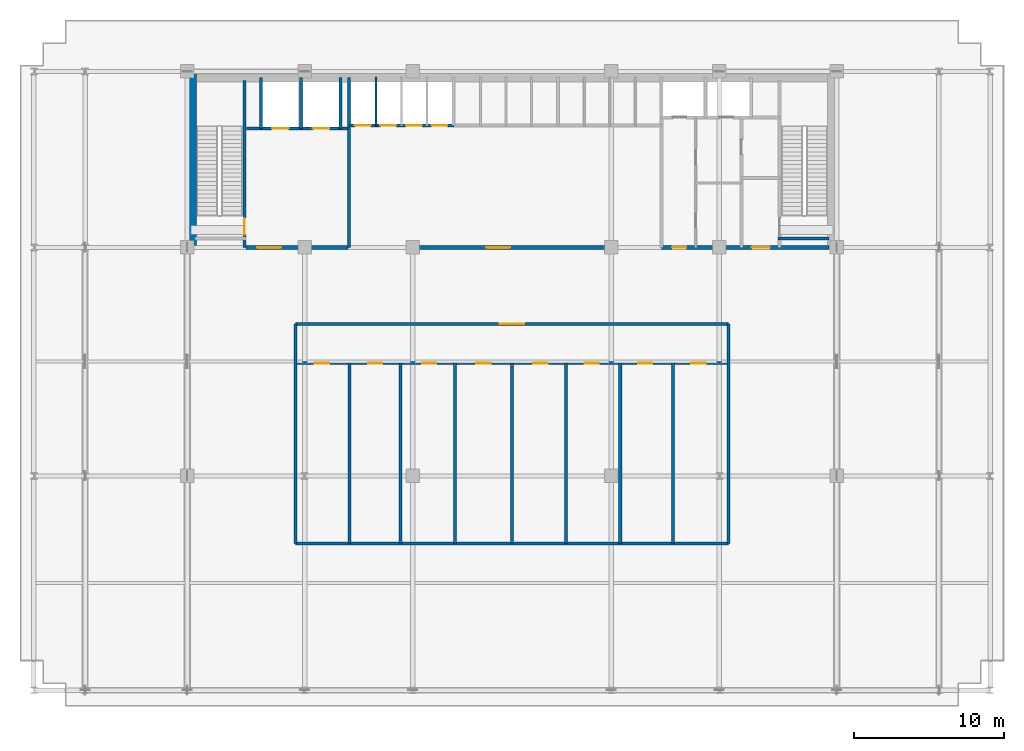
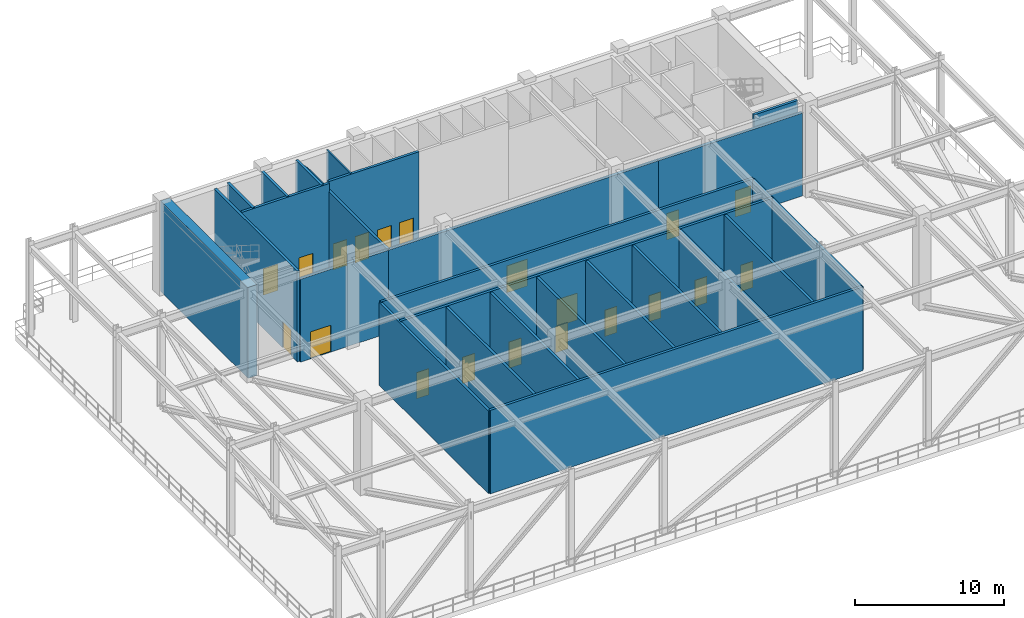
# One storey, part 11 of 16: 25 walls, 20 doors, 20 openings.
"""IFC4 building model written with IfcOpenShell, lengths in metres."""

from ifc_helpers import new_model, si_unit, direction, frame, frame_2d, origin, place, context, subcontext, project, spatial, rectangle, extrude, source, transform, mapped, material, layer, layer_set, type_object, element, fill, save


model = new_model("IFC4")

# Units and contexts
model_context = context("Model", 3, precision=1e-05, world=origin(), true_north=direction((0.0, 1.0)))
body_context = subcontext(model_context, "Body", "Model", "MODEL_VIEW")
ifc_project = project(units=[si_unit("LENGTHUNIT", "METRE"), si_unit("AREAUNIT", "SQUARE_METRE"), si_unit("VOLUMEUNIT", "CUBIC_METRE"), si_unit("PLANEANGLEUNIT", "RADIAN"), si_unit("MASSUNIT", "GRAM", prefix="KILO")], contexts=[model_context])

# Site, building, storey
site_placement = place(None, origin())
site = spatial("IfcSite", under=ifc_project, at=site_placement, CompositionType="ELEMENT")
building_placement = place(site_placement, origin())
building = spatial("IfcBuilding", under=site, at=building_placement, Name="Trelvane Seafront Commons", CompositionType="ELEMENT")
storey_placement = place(building_placement, frame((0.0, 0.0, 73.89990234375)))
storey = spatial("IfcBuildingStorey", under=building, at=storey_placement, Name="L19", CompositionType="ELEMENT", Elevation=73.89990234375)

# Wall, opening, door
ifc_material_1 = material(Name="Concrete C40/50", Category="concrete")
ifc_layer_1 = layer(ifc_material_1, 0.199951171875, Name="ARCH-WALL-FIRE200")
ifc_layer_set_1 = layer_set([ifc_layer_1], Name="Concrete C40/50")
wall_type_1 = type_object("IfcWallType", Name="ARCH-WALL-FIRE200", PredefinedType="PARTITIONING", material=ifc_layer_set_1)
wall_1_placement = place(storey_placement, frame((22.800048828125, 28.300048828125, 0.0), z_axis=(0.0, 0.0, 1.0), x_axis=(1.0, 0.0, 0.0)))
wall_1 = element("IfcWall", 1, at=wall_1_placement, inside=storey, type_object=wall_type_1, Name="W-L19-MEP-N-038", PredefinedType="PARTITIONING", context=body_context, shape_type="SweptSolid", body=[
    extrude(rectangle(XDim=28.800048828125, YDim=0.199951171875, at=frame_2d((14.39990234375, 0.0))), origin(), (0.0, 0.0, 1.0), 6.83203125),
])
opening_1_placement = place(wall_1_placement, frame((13.60009765625, 0.0, 0.0)))
opening_1 = element("IfcOpeningElement", 2, at=opening_1_placement, cuts=wall_1, Name="Opening FD-L19-18", PredefinedType="OPENING", context=body_context, shape_type="SweptSolid", body=[
    extrude(rectangle(XDim=1.60009765625, YDim=2.199951171875, at=frame_2d((0.800048828125, 1.10009765625))), frame((0.0, 0.10986328125, 0.0), z_axis=(0.0, -1.0, 0.0), x_axis=(1.0, 0.0, 0.0)), (0.0, 0.0, 1.0), 0.219970703125),
])
ifc_material_2 = material(Name="Powder-coated aluminium frame", Category="aluminium")
door_type_1 = type_object("IfcDoorType", Name="ARCH-DR-FD60-1600", OperationType="DOUBLE_DOOR_SINGLE_SWING", PredefinedType="DOOR", material=ifc_material_2)
shared_shape_1 = source(origin(), body_context, "Body", "SweptSolid", [
    extrude(rectangle(XDim=1.60009765625, YDim=2.199951171875, at=frame_2d((0.800048828125, 1.10009765625))), frame((0.0, 0.02490234375, 0.0), z_axis=(0.0, -1.0, 0.0), x_axis=(1.0, 0.0, 0.0)), (0.0, 0.0, 1.0), 0.050048828125),
])
door_1_placement = place(opening_1_placement, origin())
door_1 = element("IfcDoor", 3, at=door_1_placement, inside=storey, type_object=door_type_1, Name="L19 Plant Corridor Entrance Door", OperationType="DOUBLE_DOOR_SINGLE_SWING", OverallHeight=2.199951171875, OverallWidth=1.60009765625, PredefinedType="DOOR", context=body_context, shape_type="MappedRepresentation", body=[
    mapped(shared_shape_1, transform((0.0, 0.0, 0.0), x_axis=(1.0, 0.0, 0.0), y_axis=(0.0, 1.0, 0.0), z_axis=(0.0, 0.0, 1.0), scale=1.0)),
])
fill(opening_1, door_1)

# Walls
wall_2_placement = place(storey_placement, frame((22.800048828125, 13.699951171875, 0.0), z_axis=(0.0, 0.0, 1.0), x_axis=(1.0, 0.0, 0.0)))
element("IfcWall", 4, at=wall_2_placement, inside=storey, type_object=wall_type_1, Name="W-L19-MEP-S-039", PredefinedType="PARTITIONING", context=body_context, shape_type="SweptSolid", body=[
    extrude(rectangle(XDim=28.800048828125, YDim=0.199951171875, at=frame_2d((14.39990234375, 0.0))), origin(), (0.0, 0.0, 1.0), 6.83203125),
])
for number, where, z_axis, x_axis, name in (
    (5, (22.800048828125, 13.699951171875, 0.0), (0.0, 0.0, 1.0), (0.0, 1.0, 0.0), "W-L19-MEP-W-040"),
    (6, (51.60009765625, 13.699951171875, 0.0), (0.0, 0.0, 1.0), (0.0, 1.0, 0.0), "W-L19-MEP-E-041"),
):
    element("IfcWall", number, at=place(storey_placement, frame(where, z_axis=z_axis, x_axis=x_axis)), inside=storey, type_object=wall_type_1, Name=name, PredefinedType="PARTITIONING", context=body_context, shape_type="SweptSolid", body=[
        extrude(rectangle(XDim=14.60009765625, YDim=0.199951171875, at=frame_2d((7.300048828125, 0.0))), origin(), (0.0, 0.0, 1.0), 6.77001953125),
    ])

# Wall, openings, doors
wall_3_placement = place(storey_placement, frame((22.800048828125, 25.699951171875, 0.0), z_axis=(0.0, 0.0, 1.0), x_axis=(1.0, 0.0, 0.0)))
wall_3 = element("IfcWall", 7, at=wall_3_placement, inside=storey, type_object=wall_type_1, Name="W-L19-MEP-CORR-S-042", PredefinedType="PARTITIONING", context=body_context, shape_type="SweptSolid", body=[
    extrude(rectangle(XDim=28.800048828125, YDim=0.199951171875, at=frame_2d((14.39990234375, 0.0))), origin(), (0.0, 0.0, 1.0), 6.83203125),
])
opening_2_placement = place(wall_3_placement, frame((1.282958984375, 0.0, 0.0)))
opening_2 = element("IfcOpeningElement", 8, at=opening_2_placement, cuts=wall_3, Name="Opening FD-L19-19", PredefinedType="OPENING", context=body_context, shape_type="SweptSolid", body=[
    extrude(rectangle(XDim=0.949951171875, YDim=2.14990234375, at=frame_2d((0.47509765625, 1.074951171875))), frame((0.0, 0.10986328125, 0.0), z_axis=(0.0, -1.0, 0.0), x_axis=(1.0, 0.0, 0.0)), (0.0, 0.0, 1.0), 0.219970703125),
])
opening_3_placement = place(wall_3_placement, frame((4.824951171875, 0.0, 0.0)))
opening_3 = element("IfcOpeningElement", 9, at=opening_3_placement, cuts=wall_3, Name="Opening FD-L19-20", PredefinedType="OPENING", context=body_context, shape_type="SweptSolid", body=[
    extrude(rectangle(XDim=0.949951171875, YDim=2.14990234375, at=frame_2d((0.47509765625, 1.074951171875))), frame((0.0, 0.10986328125, 0.0), z_axis=(0.0, -1.0, 0.0), x_axis=(1.0, 0.0, 0.0)), (0.0, 0.0, 1.0), 0.219970703125),
])
opening_4_placement = place(wall_3_placement, frame((8.422119140625, 0.0, 0.0)))
opening_4 = element("IfcOpeningElement", 10, at=opening_4_placement, cuts=wall_3, Name="Opening FD-L19-21", PredefinedType="OPENING", context=body_context, shape_type="SweptSolid", body=[
    extrude(rectangle(XDim=0.949951171875, YDim=2.14990234375, at=frame_2d((0.47509765625, 1.074951171875))), frame((0.0, 0.10986328125, 0.0), z_axis=(0.0, -1.0, 0.0), x_axis=(1.0, 0.0, 0.0)), (0.0, 0.0, 1.0), 0.219970703125),
])
opening_5_placement = place(wall_3_placement, frame((12.02490234375, 0.0, 0.0)))
opening_5 = element("IfcOpeningElement", 11, at=opening_5_placement, cuts=wall_3, Name="Opening FD-L19-22", PredefinedType="OPENING", context=body_context, shape_type="SweptSolid", body=[
    extrude(rectangle(XDim=0.949951171875, YDim=2.14990234375, at=frame_2d((0.47509765625, 1.074951171875))), frame((0.0, 0.10986328125, 0.0), z_axis=(0.0, -1.0, 0.0), x_axis=(1.0, 0.0, 0.0)), (0.0, 0.0, 1.0), 0.219970703125),
])
opening_6_placement = place(wall_3_placement, frame((15.822021484375, 0.0, 0.0)))
opening_6 = element("IfcOpeningElement", 12, at=opening_6_placement, cuts=wall_3, Name="Opening FD-L19-23", PredefinedType="OPENING", context=body_context, shape_type="SweptSolid", body=[
    extrude(rectangle(XDim=0.949951171875, YDim=2.14990234375, at=frame_2d((0.47509765625, 1.074951171875))), frame((0.0, 0.10986328125, 0.0), z_axis=(0.0, -1.0, 0.0), x_axis=(1.0, 0.0, 0.0)), (0.0, 0.0, 1.0), 0.219970703125),
])
opening_7_placement = place(wall_3_placement, frame((19.22802734375, 0.0, 0.0)))
opening_7 = element("IfcOpeningElement", 13, at=opening_7_placement, cuts=wall_3, Name="Opening FD-L19-24", PredefinedType="OPENING", context=body_context, shape_type="SweptSolid", body=[
    extrude(rectangle(XDim=0.949951171875, YDim=2.14990234375, at=frame_2d((0.47509765625, 1.074951171875))), frame((0.0, 0.10986328125, 0.0), z_axis=(0.0, -1.0, 0.0), x_axis=(1.0, 0.0, 0.0)), (0.0, 0.0, 1.0), 0.219970703125),
])
opening_8_placement = place(wall_3_placement, frame((22.782958984375, 0.0, 0.0)))
opening_8 = element("IfcOpeningElement", 14, at=opening_8_placement, cuts=wall_3, Name="Opening FD-L19-25", PredefinedType="OPENING", context=body_context, shape_type="SweptSolid", body=[
    extrude(rectangle(XDim=0.949951171875, YDim=2.14990234375, at=frame_2d((0.47509765625, 1.074951171875))), frame((0.0, 0.10986328125, 0.0), z_axis=(0.0, -1.0, 0.0), x_axis=(1.0, 0.0, 0.0)), (0.0, 0.0, 1.0), 0.219970703125),
])
opening_9_placement = place(wall_3_placement, frame((26.327880859375, 0.0, 0.0)))
opening_9 = element("IfcOpeningElement", 15, at=opening_9_placement, cuts=wall_3, Name="Opening FD-L19-26", PredefinedType="OPENING", context=body_context, shape_type="SweptSolid", body=[
    extrude(rectangle(XDim=0.949951171875, YDim=2.14990234375, at=frame_2d((0.47509765625, 1.074951171875))), frame((0.0, 0.10986328125, 0.0), z_axis=(0.0, -1.0, 0.0), x_axis=(1.0, 0.0, 0.0)), (0.0, 0.0, 1.0), 0.219970703125),
])
door_type_2 = type_object("IfcDoorType", Name="ARCH-DR-FD60-950", OperationType="NOTDEFINED", PredefinedType="DOOR", material=ifc_material_2)
shared_shape_2 = source(origin(), body_context, "Body", "SweptSolid", [
    extrude(rectangle(XDim=0.949951171875, YDim=2.14990234375, at=frame_2d((0.47509765625, 1.074951171875))), frame((0.0, 0.02490234375, 0.0), z_axis=(0.0, -1.0, 0.0), x_axis=(1.0, 0.0, 0.0)), (0.0, 0.0, 1.0), 0.050048828125),
])
door_2_placement = place(opening_2_placement, origin())
door_2 = element("IfcDoor", 16, at=door_2_placement, inside=storey, type_object=door_type_2, Name="L19 Door 19", OperationType="SINGLE_SWING_LEFT", OverallHeight=2.14990234375, OverallWidth=0.949951171875, PredefinedType="DOOR", context=body_context, shape_type="MappedRepresentation", body=[
    mapped(shared_shape_2, transform((0.0, 0.0, 0.0), x_axis=(1.0, 0.0, 0.0), y_axis=(0.0, 1.0, 0.0), z_axis=(0.0, 0.0, 1.0), scale=1.0)),
])
fill(opening_2, door_2)
door_3_placement = place(opening_3_placement, origin())
door_3 = element("IfcDoor", 17, at=door_3_placement, inside=storey, type_object=door_type_2, Name="L19 Door 20", OperationType="SINGLE_SWING_RIGHT", OverallHeight=2.14990234375, OverallWidth=0.949951171875, PredefinedType="DOOR", context=body_context, shape_type="MappedRepresentation", body=[
    mapped(shared_shape_2, transform((0.0, 0.0, 0.0), x_axis=(1.0, 0.0, 0.0), y_axis=(0.0, 1.0, 0.0), z_axis=(0.0, 0.0, 1.0), scale=1.0)),
])
fill(opening_3, door_3)
door_4_placement = place(opening_4_placement, origin())
door_4 = element("IfcDoor", 18, at=door_4_placement, inside=storey, type_object=door_type_2, Name="L19 Door 21", OperationType="SINGLE_SWING_LEFT", OverallHeight=2.14990234375, OverallWidth=0.949951171875, PredefinedType="DOOR", context=body_context, shape_type="MappedRepresentation", body=[
    mapped(shared_shape_2, transform((0.0, 0.0, 0.0), x_axis=(1.0, 0.0, 0.0), y_axis=(0.0, 1.0, 0.0), z_axis=(0.0, 0.0, 1.0), scale=1.0)),
])
fill(opening_4, door_4)
door_5_placement = place(opening_5_placement, origin())
door_5 = element("IfcDoor", 19, at=door_5_placement, inside=storey, type_object=door_type_2, Name="L19 Door 22", OperationType="SINGLE_SWING_RIGHT", OverallHeight=2.14990234375, OverallWidth=0.949951171875, PredefinedType="DOOR", context=body_context, shape_type="MappedRepresentation", body=[
    mapped(shared_shape_2, transform((0.0, 0.0, 0.0), x_axis=(1.0, 0.0, 0.0), y_axis=(0.0, 1.0, 0.0), z_axis=(0.0, 0.0, 1.0), scale=1.0)),
])
fill(opening_5, door_5)
door_6_placement = place(opening_6_placement, origin())
door_6 = element("IfcDoor", 20, at=door_6_placement, inside=storey, type_object=door_type_2, Name="L19 Door 23", OperationType="SINGLE_SWING_LEFT", OverallHeight=2.14990234375, OverallWidth=0.949951171875, PredefinedType="DOOR", context=body_context, shape_type="MappedRepresentation", body=[
    mapped(shared_shape_2, transform((0.0, 0.0, 0.0), x_axis=(1.0, 0.0, 0.0), y_axis=(0.0, 1.0, 0.0), z_axis=(0.0, 0.0, 1.0), scale=1.0)),
])
fill(opening_6, door_6)
door_7_placement = place(opening_7_placement, origin())
door_7 = element("IfcDoor", 21, at=door_7_placement, inside=storey, type_object=door_type_2, Name="L19 Door 24", OperationType="SINGLE_SWING_RIGHT", OverallHeight=2.14990234375, OverallWidth=0.949951171875, PredefinedType="DOOR", context=body_context, shape_type="MappedRepresentation", body=[
    mapped(shared_shape_2, transform((0.0, 0.0, 0.0), x_axis=(1.0, 0.0, 0.0), y_axis=(0.0, 1.0, 0.0), z_axis=(0.0, 0.0, 1.0), scale=1.0)),
])
fill(opening_7, door_7)
door_8_placement = place(opening_8_placement, origin())
door_8 = element("IfcDoor", 22, at=door_8_placement, inside=storey, type_object=door_type_2, Name="L19 Door 25", OperationType="SINGLE_SWING_LEFT", OverallHeight=2.14990234375, OverallWidth=0.949951171875, PredefinedType="DOOR", context=body_context, shape_type="MappedRepresentation", body=[
    mapped(shared_shape_2, transform((0.0, 0.0, 0.0), x_axis=(1.0, 0.0, 0.0), y_axis=(0.0, 1.0, 0.0), z_axis=(0.0, 0.0, 1.0), scale=1.0)),
])
fill(opening_8, door_8)
door_9_placement = place(opening_9_placement, origin())
door_9 = element("IfcDoor", 23, at=door_9_placement, inside=storey, type_object=door_type_2, Name="L19 Door 26", OperationType="SINGLE_SWING_RIGHT", OverallHeight=2.14990234375, OverallWidth=0.949951171875, PredefinedType="DOOR", context=body_context, shape_type="MappedRepresentation", body=[
    mapped(shared_shape_2, transform((0.0, 0.0, 0.0), x_axis=(1.0, 0.0, 0.0), y_axis=(0.0, 1.0, 0.0), z_axis=(0.0, 0.0, 1.0), scale=1.0)),
])
fill(opening_9, door_9)

# Walls
for number, where, z_axis, x_axis, name in (
    (24, (26.39990234375, 13.699951171875, 0.0), (0.0, 0.0, 1.0), (0.0, 1.0, 0.0), "W-L19-MEP-DV-1-043"),
    (25, (29.800048828125, 13.699951171875, 0.0), (0.0, 0.0, 1.0), (0.0, 1.0, 0.0), "W-L19-MEP-DV-2-044"),
    (26, (33.39990234375, 13.699951171875, 0.0), (0.0, 0.0, 1.0), (0.0, 1.0, 0.0), "W-L19-MEP-DV-3-045"),
    (27, (37.199951171875, 13.699951171875, 0.0), (0.0, 0.0, 1.0), (0.0, 1.0, 0.0), "W-L19-MEP-DV-4-046"),
    (28, (40.800048828125, 13.699951171875, 0.0), (0.0, 0.0, 1.0), (0.0, 1.0, 0.0), "W-L19-MEP-DV-5-047"),
    (29, (44.39990234375, 13.699951171875, 0.0), (0.0, 0.0, 1.0), (0.0, 1.0, 0.0), "W-L19-MEP-DV-6-048"),
    (30, (47.89990234375, 13.699951171875, 0.0), (0.0, 0.0, 1.0), (0.0, 1.0, 0.0), "W-L19-MEP-DV-7-049"),
):
    element("IfcWall", number, at=place(storey_placement, frame(where, z_axis=z_axis, x_axis=x_axis)), inside=storey, type_object=wall_type_1, Name=name, PredefinedType="PARTITIONING", context=body_context, shape_type="SweptSolid", body=[
        extrude(rectangle(XDim=12.0, YDim=0.199951171875, at=frame_2d((6.0, 0.0))), origin(), (0.0, 0.0, 1.0), 6.77001953125),
    ])

# Wall, opening, door
ifc_layer_2 = layer(ifc_material_1, 0.25, Name="ARCH-WALL-FIRE250")
ifc_layer_set_2 = layer_set([ifc_layer_2], Name="Concrete C40/50")
wall_type_2 = type_object("IfcWallType", Name="ARCH-WALL-FIRE250", PredefinedType="PARTITIONING", material=ifc_layer_set_2)
wall_4_placement = place(storey_placement, frame((19.5, 33.39990234375, 0.0), z_axis=(0.0, 0.0, 1.0), x_axis=(1.0, 0.0, 0.0)))
wall_4 = element("IfcWall", 31, at=wall_4_placement, inside=storey, type_object=wall_type_2, Name="W-L19-CS-FFL-013", PredefinedType="PARTITIONING", context=body_context, shape_type="SweptSolid", body=[
    extrude(rectangle(XDim=6.800048828125, YDim=0.25, at=frame_2d((3.39990234375, 0.0))), origin(), (0.0, 0.0, 1.0), 6.77001953125),
])
opening_10_placement = place(wall_4_placement, frame((0.75, 0.0, 0.0)))
opening_10 = element("IfcOpeningElement", 32, at=opening_10_placement, cuts=wall_4, Name="Opening FD-L19-05", PredefinedType="OPENING", context=body_context, shape_type="SweptSolid", body=[
    extrude(rectangle(XDim=1.60009765625, YDim=2.199951171875, at=frame_2d((0.800048828125, 1.10009765625))), frame((0.0, 0.135009765625, 0.0), z_axis=(0.0, -1.0, 0.0), x_axis=(1.0, 0.0, 0.0)), (0.0, 0.0, 1.0), 0.27001953125),
])
door_10_placement = place(opening_10_placement, origin())
door_10 = element("IfcDoor", 33, at=door_10_placement, inside=storey, type_object=door_type_1, Name="L19 Firefighting Lift Lobby Double Fire Door", OperationType="DOUBLE_DOOR_SINGLE_SWING", OverallHeight=2.199951171875, OverallWidth=1.60009765625, PredefinedType="DOOR", context=body_context, shape_type="MappedRepresentation", body=[
    mapped(shared_shape_1, transform((0.0, 0.0, 0.0), x_axis=(1.0, 0.0, 0.0), y_axis=(0.0, 1.0, 0.0), z_axis=(0.0, 0.0, 1.0), scale=1.0)),
])
fill(opening_10, door_10)

wall_5_placement = place(storey_placement, frame((26.300048828125, 33.39990234375, 0.0), z_axis=(0.0, 0.0, 1.0), x_axis=(1.0, 0.0, 0.0)))
wall_5 = element("IfcWall", 34, at=wall_5_placement, inside=storey, type_object=wall_type_2, Name="W-L19-CS-PAX-029", PredefinedType="PARTITIONING", context=body_context, shape_type="SweptSolid", body=[
    extrude(rectangle(XDim=20.849853515625, YDim=0.25, at=frame_2d((10.4248046875, 0.0))), origin(), (0.0, 0.0, 1.0), 6.77001953125),
])
opening_11_placement = place(wall_5_placement, frame((9.199951171875, 0.0, 0.0)))
opening_11 = element("IfcOpeningElement", 35, at=opening_11_placement, cuts=wall_5, Name="Opening FD-L19-10", PredefinedType="OPENING", context=body_context, shape_type="SweptSolid", body=[
    extrude(rectangle(XDim=1.60009765625, YDim=2.199951171875, at=frame_2d((0.800048828125, 1.10009765625))), frame((0.0, 0.135009765625, 0.0), z_axis=(0.0, -1.0, 0.0), x_axis=(1.0, 0.0, 0.0)), (0.0, 0.0, 1.0), 0.27001953125),
])
door_11_placement = place(opening_11_placement, origin())
door_11 = element("IfcDoor", 36, at=door_11_placement, inside=storey, type_object=door_type_1, Name="L19 Passenger Lift Lobby Double Door", OperationType="DOUBLE_DOOR_SINGLE_SWING", OverallHeight=2.199951171875, OverallWidth=1.60009765625, PredefinedType="DOOR", context=body_context, shape_type="MappedRepresentation", body=[
    mapped(shared_shape_1, transform((0.0, 0.0, 0.0), x_axis=(1.0, 0.0, 0.0), y_axis=(0.0, 1.0, 0.0), z_axis=(0.0, 0.0, 1.0), scale=1.0)),
])
fill(opening_11, door_11)

# Wall, openings, doors
wall_6_placement = place(storey_placement, frame((47.14990234375, 33.39990234375, 0.0), z_axis=(0.0, 0.0, 1.0), x_axis=(1.0, 0.0, 0.0)))
wall_6 = element("IfcWall", 37, at=wall_6_placement, inside=storey, type_object=wall_type_2, Name="W-L19-CS-EAST-037", PredefinedType="PARTITIONING", context=body_context, shape_type="SweptSolid", body=[
    extrude(rectangle(XDim=11.150146484375, YDim=0.25, at=frame_2d((5.5751953125, 0.0))), origin(), (0.0, 0.0, 1.0), 6.77001953125),
])
opening_12_placement = place(wall_6_placement, frame((0.699951171875, 0.0, 0.0)))
opening_12 = element("IfcOpeningElement", 38, at=opening_12_placement, cuts=wall_6, Name="Opening FD-L19-16", PredefinedType="OPENING", context=body_context, shape_type="SweptSolid", body=[
    extrude(rectangle(XDim=0.949951171875, YDim=2.14990234375, at=frame_2d((0.47509765625, 1.074951171875))), frame((0.0, 0.135009765625, 0.0), z_axis=(0.0, -1.0, 0.0), x_axis=(1.0, 0.0, 0.0)), (0.0, 0.0, 1.0), 0.27001953125),
])
opening_13_placement = place(wall_6_placement, frame((6.0, 0.0, 0.0)))
opening_13 = element("IfcOpeningElement", 39, at=opening_13_placement, cuts=wall_6, Name="Opening FD-L19-17", PredefinedType="OPENING", context=body_context, shape_type="SweptSolid", body=[
    extrude(rectangle(XDim=1.199951171875, YDim=2.14990234375, at=frame_2d((0.60009765625, 1.074951171875))), frame((0.0, 0.135009765625, 0.0), z_axis=(0.0, -1.0, 0.0), x_axis=(1.0, 0.0, 0.0)), (0.0, 0.0, 1.0), 0.27001953125),
])
door_12_placement = place(opening_12_placement, origin())
door_12 = element("IfcDoor", 40, at=door_12_placement, inside=storey, type_object=door_type_2, Name="L19 Core Service Lobby Door", OperationType="SINGLE_SWING_RIGHT", OverallHeight=2.14990234375, OverallWidth=0.949951171875, PredefinedType="DOOR", context=body_context, shape_type="MappedRepresentation", body=[
    mapped(shared_shape_2, transform((0.0, 0.0, 0.0), x_axis=(1.0, 0.0, 0.0), y_axis=(0.0, 1.0, 0.0), z_axis=(0.0, 0.0, 1.0), scale=1.0)),
])
fill(opening_12, door_12)
door_type_3 = type_object("IfcDoorType", Name="ARCH-DR-FD60-1200", OperationType="NOTDEFINED", PredefinedType="DOOR", material=ifc_material_2)
shared_shape_3 = source(origin(), body_context, "Body", "SweptSolid", [
    extrude(rectangle(XDim=1.199951171875, YDim=2.14990234375, at=frame_2d((0.60009765625, 1.074951171875))), frame((0.0, 0.02490234375, 0.0), z_axis=(0.0, -1.0, 0.0), x_axis=(1.0, 0.0, 0.0)), (0.0, 0.0, 1.0), 0.050048828125),
])
door_13_placement = place(opening_13_placement, origin())
door_13 = element("IfcDoor", 41, at=door_13_placement, inside=storey, type_object=door_type_3, Name="L19 East Stair Vestibule Fire Door", OperationType="SINGLE_SWING_LEFT", OverallHeight=2.14990234375, OverallWidth=1.199951171875, PredefinedType="DOOR", context=body_context, shape_type="MappedRepresentation", body=[
    mapped(shared_shape_3, transform((0.0, 0.0, 0.0), x_axis=(1.0, 0.0, 0.0), y_axis=(0.0, 1.0, 0.0), z_axis=(0.0, 0.0, 1.0), scale=1.0)),
])
fill(opening_13, door_13)

# Wall
ifc_material_3 = material(Name="Gypsum Drywall Acoustic Partition")
ifc_layer_3 = layer(ifc_material_3, 0.1201171875, Name="ARCH-WALL-PART120")
ifc_layer_set_3 = layer_set([ifc_layer_3], Name="Gypsum Drywall Acoustic Partition")
wall_type_3 = type_object("IfcWallType", Name="ARCH-WALL-PART120", PredefinedType="PARTITIONING", material=ifc_layer_set_3)
wall_7_placement = place(storey_placement, frame((28.14990234375, 41.5, 0.0), z_axis=(0.0, 0.0, 1.0), x_axis=(0.0, 1.0, 0.0)))
element("IfcWall", 42, at=wall_7_placement, inside=storey, type_object=wall_type_3, Name="W-L19-PL-DIV1-016", PredefinedType="PARTITIONING", context=body_context, shape_type="SweptSolid", body=[
    extrude(rectangle(XDim=3.199951171875, YDim=0.1201171875, at=frame_2d((1.60009765625, 0.0))), origin(), (0.0, 0.0, 1.0), 7.420166015625),
])

# Wall, openings, doors
ifc_layer_4 = layer(ifc_material_1, 0.199951171875, Name="ARCH-WALL-SHAFT200")
ifc_layer_set_4 = layer_set([ifc_layer_4], Name="Concrete C40/50")
wall_type_4 = type_object("IfcWallType", Name="ARCH-WALL-SHAFT200", PredefinedType="SOLIDWALL", material=ifc_layer_set_4)
wall_8_placement = place(storey_placement, frame((19.550048828125, 41.300048828125, 0.0), z_axis=(0.0, 0.0, 1.0), x_axis=(1.0, 0.0, 0.0)))
wall_8 = element("IfcWall", 43, at=wall_8_placement, inside=storey, type_object=wall_type_4, Name="W-L19-FFL-FRONT-008", PredefinedType="SOLIDWALL", context=body_context, shape_type="SweptSolid", body=[
    extrude(rectangle(XDim=6.75, YDim=0.199951171875, at=frame_2d((3.375, 0.0))), origin(), (0.0, 0.0, 1.0), 7.420166015625),
])
opening_14_placement = place(wall_8_placement, frame((1.699951171875, 0.0, 0.0)))
opening_14 = element("IfcOpeningElement", 44, at=opening_14_placement, cuts=wall_8, Name="Opening LD-FF1-L19", PredefinedType="OPENING", context=body_context, shape_type="SweptSolid", body=[
    extrude(rectangle(XDim=1.10009765625, YDim=2.14990234375, at=frame_2d((0.550048828125, 1.074951171875))), frame((0.0, 0.10986328125, 0.0), z_axis=(0.0, -1.0, 0.0), x_axis=(1.0, 0.0, 0.0)), (0.0, 0.0, 1.0), 0.219970703125),
])
opening_15_placement = place(wall_8_placement, frame((4.39990234375, 0.0, 0.0)))
opening_15 = element("IfcOpeningElement", 45, at=opening_15_placement, cuts=wall_8, Name="Opening LD-FF2-L19", PredefinedType="OPENING", context=body_context, shape_type="SweptSolid", body=[
    extrude(rectangle(XDim=1.10009765625, YDim=2.14990234375, at=frame_2d((0.550048828125, 1.074951171875))), frame((0.0, 0.10986328125, 0.0), z_axis=(0.0, -1.0, 0.0), x_axis=(1.0, 0.0, 0.0)), (0.0, 0.0, 1.0), 0.219970703125),
])
ifc_material_4 = material(Name="Stainless steel balustrade", Category="steel")
door_type_4 = type_object("IfcDoorType", Name="ARCH-DR-LD1100", OperationType="DOUBLE_DOOR_SLIDING", PredefinedType="DOOR", material=ifc_material_4)
shared_shape_4 = source(origin(), body_context, "Body", "SweptSolid", [
    extrude(rectangle(XDim=1.10009765625, YDim=2.14990234375, at=frame_2d((0.550048828125, 1.074951171875))), frame((0.0, 0.02490234375, 0.0), z_axis=(0.0, -1.0, 0.0), x_axis=(1.0, 0.0, 0.0)), (0.0, 0.0, 1.0), 0.050048828125),
])
door_14_placement = place(opening_14_placement, origin())
door_14 = element("IfcDoor", 46, at=door_14_placement, inside=storey, type_object=door_type_4, Name="L19 Firefighting Lift FFL-1 Landing Door", OperationType="DOUBLE_DOOR_SLIDING", OverallHeight=2.14990234375, OverallWidth=1.10009765625, PredefinedType="DOOR", context=body_context, shape_type="MappedRepresentation", body=[
    mapped(shared_shape_4, transform((0.0, 0.0, 0.0), x_axis=(1.0, 0.0, 0.0), y_axis=(0.0, 1.0, 0.0), z_axis=(0.0, 0.0, 1.0), scale=1.0)),
])
fill(opening_14, door_14)
door_15_placement = place(opening_15_placement, origin())
door_15 = element("IfcDoor", 47, at=door_15_placement, inside=storey, type_object=door_type_4, Name="L19 Firefighting Lift FFL-2 Landing Door", OperationType="DOUBLE_DOOR_SLIDING", OverallHeight=2.14990234375, OverallWidth=1.10009765625, PredefinedType="DOOR", context=body_context, shape_type="MappedRepresentation", body=[
    mapped(shared_shape_4, transform((0.0, 0.0, 0.0), x_axis=(1.0, 0.0, 0.0), y_axis=(0.0, 1.0, 0.0), z_axis=(0.0, 0.0, 1.0), scale=1.0)),
])
fill(opening_15, door_15)

# Walls
for number, where, z_axis, x_axis, name in (
    (48, (20.5, 41.300048828125, 0.0), (0.0, 0.0, 1.0), (0.0, 1.0, 0.0), "W-L19-FFL-SH-W-009"),
    (49, (23.14990234375, 41.300048828125, 0.0), (0.0, 0.0, 1.0), (0.0, 1.0, 0.0), "W-L19-FFL-DIV-010"),
    (50, (25.800048828125, 41.300048828125, 0.0), (0.0, 0.0, 1.0), (0.0, 1.0, 0.0), "W-L19-FFL-SH-E-011"),
):
    element("IfcWall", number, at=place(storey_placement, frame(where, z_axis=z_axis, x_axis=x_axis)), inside=storey, type_object=wall_type_4, Name=name, PredefinedType="SOLIDWALL", context=body_context, shape_type="SweptSolid", body=[
        extrude(rectangle(XDim=3.39990234375, YDim=0.199951171875, at=frame_2d((1.699951171875, 0.0))), origin(), (0.0, 0.0, 1.0), 7.420166015625),
    ])
wall_9_placement = place(storey_placement, frame((26.35009765625, 33.39990234375, 0.0), z_axis=(0.0, 0.0, 1.0), x_axis=(0.0, 1.0, 0.0)))
element("IfcWall", 51, at=wall_9_placement, inside=storey, type_object=wall_type_4, Name="W-L19-FFL-EAST-012", PredefinedType="SOLIDWALL", context=body_context, shape_type="SweptSolid", body=[
    extrude(rectangle(XDim=11.300048828125, YDim=0.199951171875, at=frame_2d((5.64990234375, 0.0))), origin(), (0.0, 0.0, 1.0), 6.77001953125),
])

# Wall, openings, doors
wall_10_placement = place(storey_placement, frame((26.39990234375, 41.5, 0.0), z_axis=(0.0, 0.0, 1.0), x_axis=(1.0, 0.0, 0.0)))
wall_10 = element("IfcWall", 52, at=wall_10_placement, inside=storey, type_object=wall_type_4, Name="W-L19-PL-FRONT-014", PredefinedType="SOLIDWALL", context=body_context, shape_type="SweptSolid", body=[
    extrude(rectangle(XDim=6.9501953125, YDim=0.199951171875, at=frame_2d((3.47509765625, 0.0))), origin(), (0.0, 0.0, 1.0), 7.420166015625),
])
opening_16_placement = place(wall_10_placement, frame((0.35009765625, 0.0, 0.0)))
opening_16 = element("IfcOpeningElement", 53, at=opening_16_placement, cuts=wall_10, Name="Opening LD-PL1-L19", PredefinedType="OPENING", context=body_context, shape_type="SweptSolid", body=[
    extrude(rectangle(XDim=1.050048828125, YDim=2.14990234375, at=frame_2d((0.52490234375, 1.074951171875))), frame((0.0, 0.10986328125, 0.0), z_axis=(0.0, -1.0, 0.0), x_axis=(1.0, 0.0, 0.0)), (0.0, 0.0, 1.0), 0.219970703125),
])
opening_17_placement = place(wall_10_placement, frame((2.050048828125, 0.0, 0.0)))
opening_17 = element("IfcOpeningElement", 54, at=opening_17_placement, cuts=wall_10, Name="Opening LD-PL2-L19", PredefinedType="OPENING", context=body_context, shape_type="SweptSolid", body=[
    extrude(rectangle(XDim=1.050048828125, YDim=2.14990234375, at=frame_2d((0.52490234375, 1.074951171875))), frame((0.0, 0.10986328125, 0.0), z_axis=(0.0, -1.0, 0.0), x_axis=(1.0, 0.0, 0.0)), (0.0, 0.0, 1.0), 0.219970703125),
])
opening_18_placement = place(wall_10_placement, frame((3.75, 0.0, 0.0)))
opening_18 = element("IfcOpeningElement", 55, at=opening_18_placement, cuts=wall_10, Name="Opening LD-PL3-L19", PredefinedType="OPENING", context=body_context, shape_type="SweptSolid", body=[
    extrude(rectangle(XDim=1.050048828125, YDim=2.14990234375, at=frame_2d((0.52490234375, 1.074951171875))), frame((0.0, 0.10986328125, 0.0), z_axis=(0.0, -1.0, 0.0), x_axis=(1.0, 0.0, 0.0)), (0.0, 0.0, 1.0), 0.219970703125),
])
opening_19_placement = place(wall_10_placement, frame((5.449951171875, 0.0, 0.0)))
opening_19 = element("IfcOpeningElement", 56, at=opening_19_placement, cuts=wall_10, Name="Opening LD-PL4-L19", PredefinedType="OPENING", context=body_context, shape_type="SweptSolid", body=[
    extrude(rectangle(XDim=1.050048828125, YDim=2.14990234375, at=frame_2d((0.52490234375, 1.074951171875))), frame((0.0, 0.10986328125, 0.0), z_axis=(0.0, -1.0, 0.0), x_axis=(1.0, 0.0, 0.0)), (0.0, 0.0, 1.0), 0.219970703125),
])
door_type_5 = type_object("IfcDoorType", Name="ARCH-DR-LD1050", OperationType="DOUBLE_DOOR_SLIDING", PredefinedType="DOOR", material=ifc_material_4)
shared_shape_5 = source(origin(), body_context, "Body", "SweptSolid", [
    extrude(rectangle(XDim=1.050048828125, YDim=2.14990234375, at=frame_2d((0.52490234375, 1.074951171875))), frame((0.0, 0.02490234375, 0.0), z_axis=(0.0, -1.0, 0.0), x_axis=(1.0, 0.0, 0.0)), (0.0, 0.0, 1.0), 0.050048828125),
])
door_16_placement = place(opening_16_placement, origin())
door_16 = element("IfcDoor", 57, at=door_16_placement, inside=storey, type_object=door_type_5, Name="L19 Passenger Lift PL-1 Landing Door", OperationType="DOUBLE_DOOR_SLIDING", OverallHeight=2.14990234375, OverallWidth=1.050048828125, PredefinedType="DOOR", context=body_context, shape_type="MappedRepresentation", body=[
    mapped(shared_shape_5, transform((0.0, 0.0, 0.0), x_axis=(1.0, 0.0, 0.0), y_axis=(0.0, 1.0, 0.0), z_axis=(0.0, 0.0, 1.0), scale=1.0)),
])
fill(opening_16, door_16)
door_17_placement = place(opening_17_placement, origin())
door_17 = element("IfcDoor", 58, at=door_17_placement, inside=storey, type_object=door_type_5, Name="L19 Passenger Lift PL-2 Landing Door", OperationType="DOUBLE_DOOR_SLIDING", OverallHeight=2.14990234375, OverallWidth=1.050048828125, PredefinedType="DOOR", context=body_context, shape_type="MappedRepresentation", body=[
    mapped(shared_shape_5, transform((0.0, 0.0, 0.0), x_axis=(1.0, 0.0, 0.0), y_axis=(0.0, 1.0, 0.0), z_axis=(0.0, 0.0, 1.0), scale=1.0)),
])
fill(opening_17, door_17)
door_18_placement = place(opening_18_placement, origin())
door_18 = element("IfcDoor", 59, at=door_18_placement, inside=storey, type_object=door_type_5, Name="L19 Passenger Lift PL-3 Landing Door", OperationType="DOUBLE_DOOR_SLIDING", OverallHeight=2.14990234375, OverallWidth=1.050048828125, PredefinedType="DOOR", context=body_context, shape_type="MappedRepresentation", body=[
    mapped(shared_shape_5, transform((0.0, 0.0, 0.0), x_axis=(1.0, 0.0, 0.0), y_axis=(0.0, 1.0, 0.0), z_axis=(0.0, 0.0, 1.0), scale=1.0)),
])
fill(opening_18, door_18)
door_19_placement = place(opening_19_placement, origin())
door_19 = element("IfcDoor", 60, at=door_19_placement, inside=storey, type_object=door_type_5, Name="L19 Passenger Lift PL-4 Landing Door", OperationType="DOUBLE_DOOR_SLIDING", OverallHeight=2.14990234375, OverallWidth=1.050048828125, PredefinedType="DOOR", context=body_context, shape_type="MappedRepresentation", body=[
    mapped(shared_shape_5, transform((0.0, 0.0, 0.0), x_axis=(1.0, 0.0, 0.0), y_axis=(0.0, 1.0, 0.0), z_axis=(0.0, 0.0, 1.0), scale=1.0)),
])
fill(opening_19, door_19)

# Wall
ifc_material_5 = material(Name="Concrete C60/75", Category="concrete")
ifc_layer_5 = layer(ifc_material_5, 0.699951171875, Name="STR-WALL-CORE700")
ifc_layer_set_5 = layer_set([ifc_layer_5], Name="Concrete C60/75")
wall_type_5 = type_object("IfcWallType", Name="STR-WALL-CORE700", PredefinedType="SHEAR", material=ifc_layer_set_5)
wall_11_placement = place(storey_placement, frame((15.85009765625, 33.39990234375, 0.0), z_axis=(0.0, 0.0, 1.0), x_axis=(0.0, 1.0, 0.0)))
element("IfcWall", 61, at=wall_11_placement, inside=storey, type_object=wall_type_5, Name="W-L19-CW-END-002", PredefinedType="SHEAR", context=body_context, shape_type="SweptSolid", body=[
    extrude(rectangle(XDim=11.7001953125, YDim=0.699951171875, at=frame_2d((5.85009765625, 0.0))), origin(), (0.0, 0.0, 1.0), 7.420166015625),
])

# Wall, opening, door
ifc_material_6 = material(Name="Concrete C50/60", Category="concrete")
ifc_layer_6 = layer(ifc_material_6, 0.199951171875, Name="STR-WALL-STAIR200")
ifc_layer_set_6 = layer_set([ifc_layer_6], Name="Concrete C50/60")
wall_type_6 = type_object("IfcWallType", Name="STR-WALL-STAIR200", PredefinedType="SHEAR", material=ifc_layer_set_6)
wall_12_placement = place(storey_placement, frame((19.39990234375, 33.39990234375, 0.0), z_axis=(0.0, 0.0, 1.0), x_axis=(0.0, 1.0, 0.0)))
wall_12 = element("IfcWall", 62, at=wall_12_placement, inside=storey, type_object=wall_type_6, Name="W-L19-ST1-E-005", PredefinedType="SHEAR", context=body_context, shape_type="SweptSolid", body=[
    extrude(rectangle(XDim=11.10009765625, YDim=0.199951171875, at=frame_2d((5.550048828125, 0.0))), origin(), (0.0, 0.0, 1.0), 7.420166015625),
])
opening_20_placement = place(wall_12_placement, frame((0.85009765625, 0.0, 0.0)))
opening_20 = element("IfcOpeningElement", 63, at=opening_20_placement, cuts=wall_12, Name="Opening ST-D1-L19", PredefinedType="OPENING", context=body_context, shape_type="SweptSolid", body=[
    extrude(rectangle(XDim=1.10009765625, YDim=2.14990234375, at=frame_2d((0.550048828125, 1.074951171875))), frame((0.0, 0.10986328125, 0.0), z_axis=(0.0, -1.0, 0.0), x_axis=(1.0, 0.0, 0.0)), (0.0, 0.0, 1.0), 0.219970703125),
])
door_type_6 = type_object("IfcDoorType", Name="ARCH-DR-FD90-1100", OperationType="NOTDEFINED", PredefinedType="DOOR", material=ifc_material_2)
door_20_placement = place(opening_20_placement, origin())
door_20 = element("IfcDoor", 64, at=door_20_placement, inside=storey, type_object=door_type_6, Name="L19 Stair ST-1 Lobby Fire Door", OperationType="SINGLE_SWING_LEFT", OverallHeight=2.14990234375, OverallWidth=1.10009765625, PredefinedType="DOOR", context=body_context, shape_type="MappedRepresentation", body=[
    mapped(shared_shape_4, transform((0.0, 0.0, 0.0), x_axis=(1.0, 0.0, 0.0), y_axis=(0.0, 1.0, 0.0), z_axis=(0.0, 0.0, 1.0), scale=1.0)),
])
fill(opening_20, door_20)

# Wall
wall_13_placement = place(storey_placement, frame((54.89990234375, 34.0, 0.0), z_axis=(0.0, 0.0, 1.0), x_axis=(1.0, 0.0, 0.0)))
element("IfcWall", 65, at=wall_13_placement, inside=storey, type_object=wall_type_6, Name="W-L19-ST2-S-006", PredefinedType="SHEAR", context=body_context, shape_type="SweptSolid", body=[
    extrude(rectangle(XDim=3.400146484375, YDim=0.199951171875, at=frame_2d((1.7001953125, 0.0))), origin(), (0.0, 0.0, 1.0), 7.420166015625),
])

save(model, "model.ifc")
